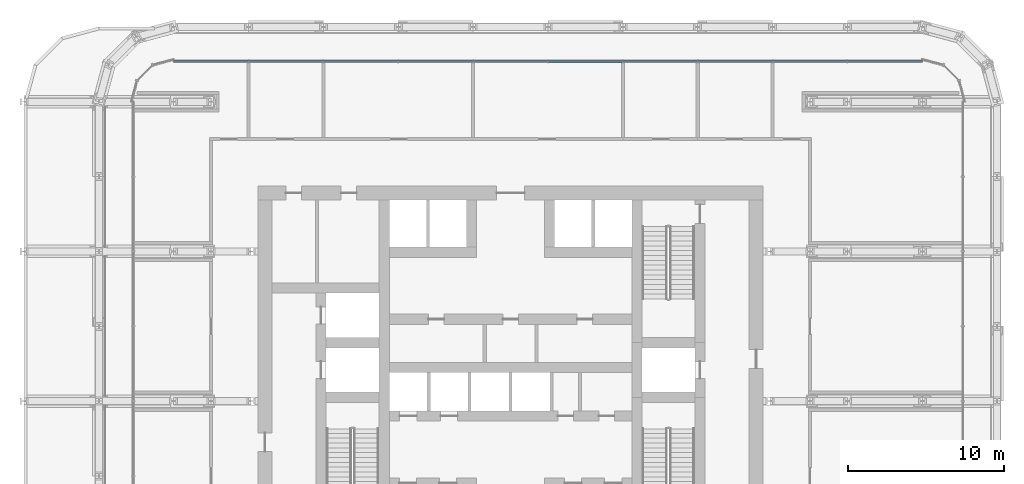
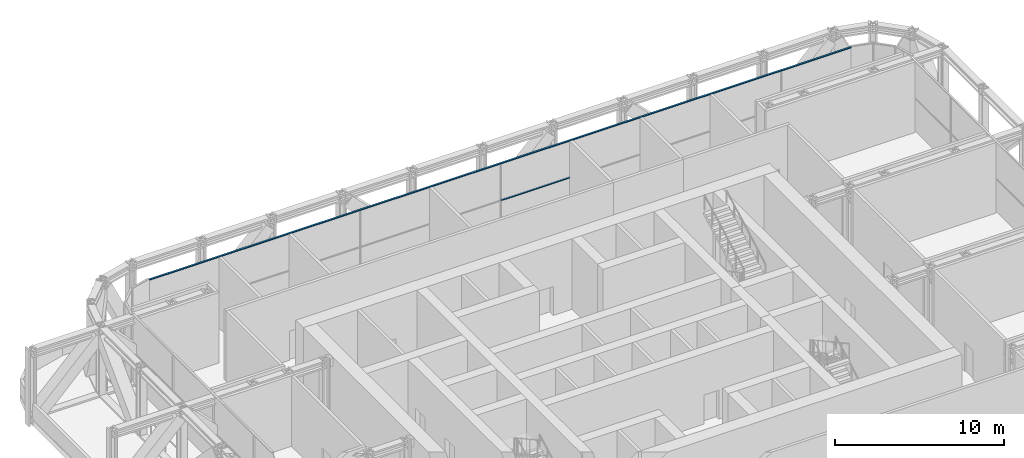
# One storey, part 15 of 30: 2 members, 1 element without a shape of its own.
"""IFC4 building model written with IfcOpenShell, lengths in metres."""

from ifc_helpers import new_model, si_unit, direction, frame, origin, origin_2d, place, context, subcontext, project, spatial, rectangle, extrude, material, layer, layer_set, material_profile, profile_set, type_object, element, aggregate, save


model = new_model("IFC4")

# Units and contexts
model_context = context("Model", 3, precision=1e-05, world=origin(), true_north=direction((0.0, 1.0)))
body_context = subcontext(model_context, "Body", "Model", "MODEL_VIEW")
ifc_project = project(units=[si_unit("LENGTHUNIT", "METRE"), si_unit("AREAUNIT", "SQUARE_METRE"), si_unit("VOLUMEUNIT", "CUBIC_METRE"), si_unit("PLANEANGLEUNIT", "RADIAN"), si_unit("MASSUNIT", "GRAM", prefix="KILO")], contexts=[model_context])

# Site, building, storey
site_placement = place(None, origin())
site = spatial("IfcSite", under=ifc_project, at=site_placement, CompositionType="ELEMENT")
building_placement = place(site_placement, origin())
building = spatial("IfcBuilding", under=site, at=building_placement, Name="Madar Terraces", CompositionType="ELEMENT")
storey_placement = place(building_placement, frame((0.0, 0.0, 53.89990234375)))
storey = spatial("IfcBuildingStorey", under=building, at=storey_placement, Name="L13", CompositionType="ELEMENT", Elevation=53.89990234375)

# Curtain wall, members
ifc_material_1 = material(Name="Glass, ceramic frit dark grey, with black aluminium frame", Category="aluminium")
ifc_layer = layer(ifc_material_1, 0.199951171875)
ifc_layer_set = layer_set([ifc_layer], Name="Facade curtain wall, tall glazing")
curtain_wall_type = type_object("IfcCurtainWallType", Name="Facade curtain wall, tall glazing", PredefinedType="NOTDEFINED", material=ifc_layer_set)
curtain_wall_placement = place(storey_placement, origin())
curtain_wall = element("IfcCurtainWall", 1, at=curtain_wall_placement, inside=storey, type_object=curtain_wall_type, Name="Outer skin curtain wall north bay 1", PredefinedType="NOTDEFINED")
ifc_material_2 = material(Name="Aluminium, black anodised", Category="aluminium")
ifc_material_profile = material_profile(ifc_material_2, rectangle(XDim=0.1201171875, YDim=0.06005859375, at=origin_2d()), Name="Facade transom 60x120")
ifc_profile_set = profile_set([ifc_material_profile], Name="Aluminium, black anodised")
member_type = type_object("IfcMemberType", Name="Facade transom 60x120", PredefinedType="USERDEFINED", material=ifc_profile_set)
member_1_placement = place(storey_placement, frame((57.60009765625, 45.800048828125, 5.070068359375), z_axis=(-1.0, 0.0, 0.0), x_axis=(0.0, -1.0, 0.0)))
member_1 = element("IfcMember", 2, at=member_1_placement, type_object=member_type, Name="Transom 1", ObjectType="TRANSOM", PredefinedType="USERDEFINED", context=body_context, shape_type="SweptSolid", body=[
    extrude(rectangle(XDim=0.1201171875, YDim=0.06005859375, at=origin_2d()), origin(), (0.0, 0.0, 1.0), 48.0),
])
member_2_placement = place(storey_placement, frame((38.3701171875, 45.800048828125, 2.400146484375), z_axis=(-1.0, 0.0, 0.0), x_axis=(0.0, -1.0, 0.0)))
member_2 = element("IfcMember", 3, at=member_2_placement, type_object=member_type, Name="Transom 6", ObjectType="TRANSOM", PredefinedType="USERDEFINED", context=body_context, shape_type="SweptSolid", body=[
    extrude(rectangle(XDim=0.1201171875, YDim=0.06005859375, at=origin_2d()), origin(), (0.0, 0.0, 1.0), 4.740234375),
])
aggregate(curtain_wall, [member_1, member_2])

save(model, "model.ifc")
